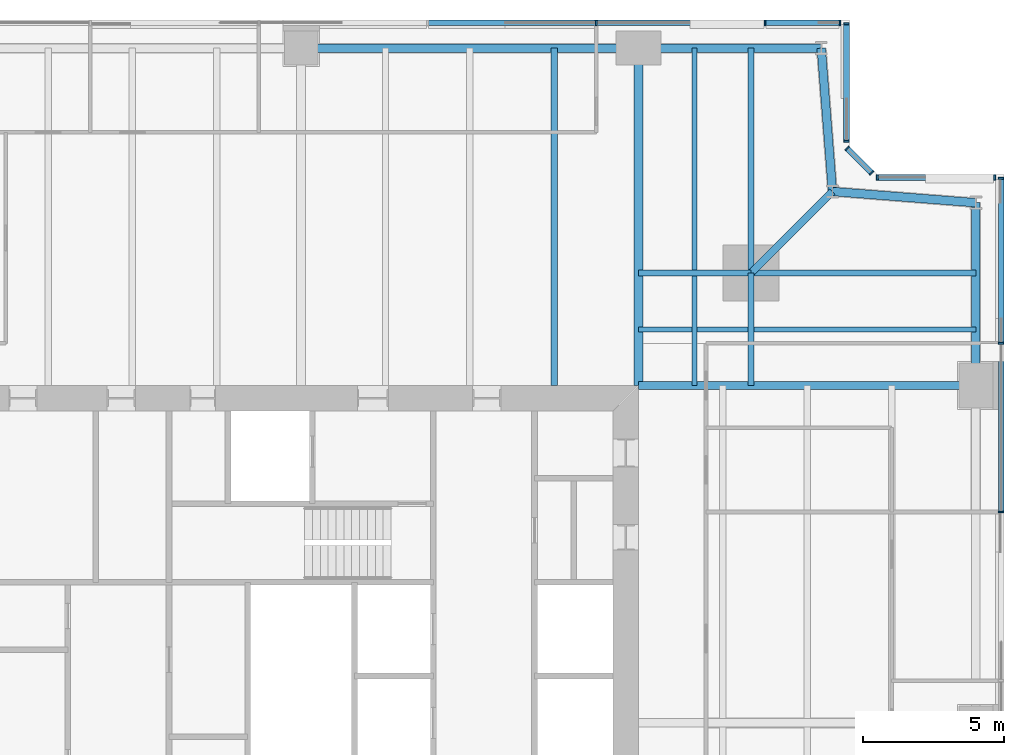
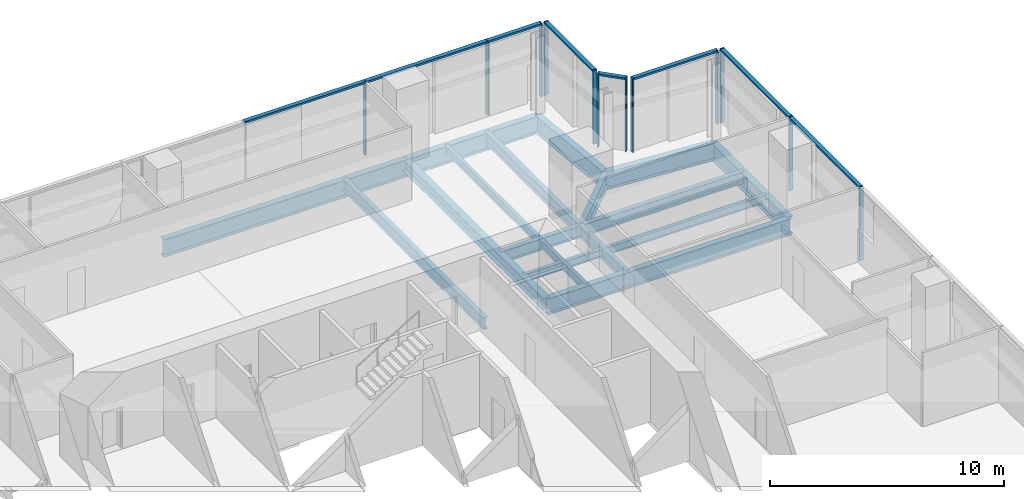
# One storey, part 7 of 16: 20 members, 18 beams, 5 elements without a shape of their own.
"""IFC4 building model written with IfcOpenShell, lengths in metres."""

from ifc_helpers import new_model, si_unit, direction, frame, origin, origin_2d, place, context, subcontext, project, spatial, rectangle, i_section, extrude, material, material_profile, profile_set, type_object, element, aggregate, save


model = new_model("IFC4")

# Units and contexts
model_context = context("Model", 3, precision=1e-05, world=origin(), true_north=direction((0.0, 1.0)))
body_context = subcontext(model_context, "Body", "Model", "MODEL_VIEW")
ifc_project = project(units=[si_unit("LENGTHUNIT", "METRE"), si_unit("AREAUNIT", "SQUARE_METRE"), si_unit("VOLUMEUNIT", "CUBIC_METRE"), si_unit("PLANEANGLEUNIT", "RADIAN"), si_unit("MASSUNIT", "GRAM", prefix="KILO")], contexts=[model_context])

# Site, building, storey
site_placement = place(None, origin())
site = spatial("IfcSite", under=ifc_project, at=site_placement, CompositionType="ELEMENT")
building_placement = place(site_placement, origin())
building = spatial("IfcBuilding", under=site, at=building_placement, Name="Fenwick Lantern Interchange", CompositionType="ELEMENT")
storey_placement = place(building_placement, frame((0.0, 0.0, 177.800048828125)))
storey = spatial("IfcBuildingStorey", under=building, at=storey_placement, Name="L41", CompositionType="ELEMENT", Elevation=177.800048828125)

# Beams
ifc_material_1 = material(Name="Steel ASTM A992 Grade 50", Category="steel")
ifc_material_profile_1 = material_profile(ifc_material_1, i_section(OverallWidth=0.3046875, OverallDepth=0.911865234375, WebThickness=0.015869140625, FlangeThickness=0.02392578125, at=origin_2d()), Name="W36X150")
ifc_profile_set_1 = profile_set([ifc_material_profile_1], Name="Steel ASTM A992 Grade 50")
beam_type_1 = type_object("IfcBeamType", Name="EDGE BEAM W36X150", PredefinedType="SPANDREL", material=ifc_profile_set_1)
beam_1_placement = place(storey_placement, frame((49.0, 37.0, -0.60595703125), z_axis=(0.0, 1.0, 0.0), x_axis=(-1.0, 0.0, 0.0)))
element("IfcBeam", 1, at=beam_1_placement, inside=storey, type_object=beam_type_1, Name="L41/FR/E/EB4", PredefinedType="SPANDREL", context=body_context, shape_type="SweptSolid", body=[
    extrude(i_section(OverallWidth=0.3046875, OverallDepth=0.911865234375, WebThickness=0.015869140625, FlangeThickness=0.02392578125, at=origin_2d()), origin(), (0.0, 0.0, 1.0), 6.5),
])
for number, where, z_axis, x_axis, name in (
    (2, (49.0, 43.5, -0.60595703125), (-0.99693998236, 0.078170784639, 0.0), (-0.078170784639, -0.99693998236, 0.0), "L41/FR/E/EBR1"),
    (3, (43.89990234375, 43.89990234375, -0.60595703125), (-0.078170784639, 0.99693998236, 0.0), (-0.99693998236, -0.078170784639, 0.0), "L41/FR/E/EBR2"),
):
    element("IfcBeam", number, at=place(storey_placement, frame(where, z_axis=z_axis, x_axis=x_axis)), inside=storey, type_object=beam_type_1, Name=name, PredefinedType="SPANDREL", context=body_context, shape_type="SweptSolid", body=[
        extrude(i_section(OverallWidth=0.3046875, OverallDepth=0.911865234375, WebThickness=0.015869140625, FlangeThickness=0.02392578125, at=origin_2d()), origin(), (0.0, 0.0, 1.0), 5.11572265625),
    ])
beam_2_placement = place(storey_placement, frame((43.5, 49.0, -0.60595703125), z_axis=(-1.0, 0.0, 0.0), x_axis=(0.0, -1.0, 0.0)))
element("IfcBeam", 4, at=beam_2_placement, inside=storey, type_object=beam_type_1, Name="L41/FR/N/EB1", PredefinedType="SPANDREL", context=body_context, shape_type="SweptSolid", body=[
    extrude(i_section(OverallWidth=0.3046875, OverallDepth=0.911865234375, WebThickness=0.015869140625, FlangeThickness=0.02392578125, at=origin_2d()), origin(), (0.0, 0.0, 1.0), 6.5),
])
beam_3_placement = place(storey_placement, frame((37.0, 49.0, -0.60595703125), z_axis=(-1.0, 0.0, 0.0), x_axis=(0.0, -1.0, 0.0)))
element("IfcBeam", 5, at=beam_3_placement, inside=storey, type_object=beam_type_1, Name="L41/FR/N/EB2", PredefinedType="SPANDREL", context=body_context, shape_type="SweptSolid", body=[
    extrude(i_section(OverallWidth=0.3046875, OverallDepth=0.911865234375, WebThickness=0.015869140625, FlangeThickness=0.02392578125, at=origin_2d()), origin(), (0.0, 0.0, 1.0), 12.0),
])
ifc_material_profile_2 = material_profile(ifc_material_1, i_section(OverallWidth=0.22900390625, OverallDepth=0.612060546875, WebThickness=0.011962890625, FlangeThickness=0.01953125, at=origin_2d()), Name="W24X84")
ifc_profile_set_2 = profile_set([ifc_material_profile_2], Name="Steel ASTM A992 Grade 50")
beam_type_2 = type_object("IfcBeamType", Name="FLOOR BEAM W24X84", PredefinedType="BEAM", material=ifc_profile_set_2)
beam_4_placement = place(storey_placement, frame((34.0, 49.0, -0.4560546875), z_axis=(0.0, -1.0, 0.0), x_axis=(1.0, 0.0, 0.0)))
element("IfcBeam", 6, at=beam_4_placement, inside=storey, type_object=beam_type_2, Name="L41/FR/N/R02", PredefinedType="BEAM", context=body_context, shape_type="SweptSolid", body=[
    extrude(i_section(OverallWidth=0.22900390625, OverallDepth=0.612060546875, WebThickness=0.011962890625, FlangeThickness=0.01953125, at=origin_2d()), origin(), (0.0, 0.0, 1.0), 12.0),
])
ifc_material_profile_3 = material_profile(ifc_material_1, i_section(OverallWidth=0.177734375, OverallDepth=0.406494140625, WebThickness=0.0078125, FlangeThickness=0.012939453125, at=origin_2d()), Name="W16X40")
ifc_profile_set_3 = profile_set([ifc_material_profile_3], Name="Steel ASTM A992 Grade 50")
beam_type_3 = type_object("IfcBeamType", Name="INFILL BEAM W16X40", PredefinedType="JOIST", material=ifc_profile_set_3)
beam_5_placement = place(storey_placement, frame((39.0, 49.0, -0.353271484375), z_axis=(0.0, -1.0, 0.0), x_axis=(1.0, 0.0, 0.0)))
element("IfcBeam", 7, at=beam_5_placement, inside=storey, type_object=beam_type_3, Name="L41/FR/N/J1", PredefinedType="JOIST", context=body_context, shape_type="SweptSolid", body=[
    extrude(i_section(OverallWidth=0.177734375, OverallDepth=0.406494140625, WebThickness=0.0078125, FlangeThickness=0.012939453125, at=origin_2d()), origin(), (0.0, 0.0, 1.0), 7.885498046875),
])
beam_6_placement = place(storey_placement, frame((39.0, 40.885498046875, -0.353271484375), z_axis=(0.0, -1.0, 0.0), x_axis=(1.0, 0.0, 0.0)))
element("IfcBeam", 8, at=beam_6_placement, inside=storey, type_object=beam_type_3, Name="L41/FR/N/J2", PredefinedType="JOIST", context=body_context, shape_type="SweptSolid", body=[
    extrude(i_section(OverallWidth=0.177734375, OverallDepth=0.406494140625, WebThickness=0.0078125, FlangeThickness=0.012939453125, at=origin_2d()), origin(), (0.0, 0.0, 1.0), 3.885498046875),
])
beam_7_placement = place(storey_placement, frame((49.0, 39.0, -0.353271484375), z_axis=(-1.0, 0.0, 0.0), x_axis=(0.0, -1.0, 0.0)))
element("IfcBeam", 9, at=beam_7_placement, inside=storey, type_object=beam_type_3, Name="L41/FR/N/J3", PredefinedType="JOIST", context=body_context, shape_type="SweptSolid", body=[
    extrude(i_section(OverallWidth=0.177734375, OverallDepth=0.406494140625, WebThickness=0.0078125, FlangeThickness=0.012939453125, at=origin_2d()), origin(), (0.0, 0.0, 1.0), 7.885498046875),
])
beam_8_placement = place(storey_placement, frame((40.885498046875, 39.0, -0.353271484375), z_axis=(-1.0, 0.0, 0.0), x_axis=(0.0, -1.0, 0.0)))
element("IfcBeam", 10, at=beam_8_placement, inside=storey, type_object=beam_type_3, Name="L41/FR/N/J4", PredefinedType="JOIST", context=body_context, shape_type="SweptSolid", body=[
    extrude(i_section(OverallWidth=0.177734375, OverallDepth=0.406494140625, WebThickness=0.0078125, FlangeThickness=0.012939453125, at=origin_2d()), origin(), (0.0, 0.0, 1.0), 1.796630859375),
])
beam_9_placement = place(storey_placement, frame((38.9111328125, 39.0, -0.353271484375), z_axis=(-1.0, 0.0, 0.0), x_axis=(0.0, -1.0, 0.0)))
element("IfcBeam", 11, at=beam_9_placement, inside=storey, type_object=beam_type_3, Name="L41/FR/N/J5", PredefinedType="JOIST", context=body_context, shape_type="SweptSolid", body=[
    extrude(i_section(OverallWidth=0.177734375, OverallDepth=0.406494140625, WebThickness=0.0078125, FlangeThickness=0.012939453125, at=origin_2d()), origin(), (0.0, 0.0, 1.0), 1.9111328125),
])
ifc_material_profile_4 = material_profile(ifc_material_1, i_section(OverallWidth=0.22900390625, OverallDepth=0.612060546875, WebThickness=0.011962890625, FlangeThickness=0.01953125, at=origin_2d()), Name="W24X84")
ifc_profile_set_4 = profile_set([ifc_material_profile_4], Name="Steel ASTM A992 Grade 50")
beam_type_4 = type_object("IfcBeamType", Name="MEGA COLUMN BEAM W24X84", PredefinedType="BEAM", material=ifc_profile_set_4)
for number, where, z_axis, x_axis, name in (
    (12, (41.0, 41.0, -0.4560546875), (0.0, 1.0, 0.0), (-1.0, 0.0, 0.0), "L41/FR/N/MB1"),
    (13, (41.0, 41.0, -0.4560546875), (1.0, 0.0, 0.0), (0.0, 1.0, 0.0), "L41/FR/N/MB2"),
):
    element("IfcBeam", number, at=place(storey_placement, frame(where, z_axis=z_axis, x_axis=x_axis)), inside=storey, type_object=beam_type_4, Name=name, PredefinedType="BEAM", context=body_context, shape_type="SweptSolid", body=[
        extrude(i_section(OverallWidth=0.22900390625, OverallDepth=0.612060546875, WebThickness=0.011962890625, FlangeThickness=0.01953125, at=origin_2d()), origin(), (0.0, 0.0, 1.0), 8.0),
    ])
for number, where, z_axis, x_axis, name in (
    (14, (41.0, 41.0, -0.4560546875), (-1.0, 0.0, 0.0), (0.0, -1.0, 0.0), "L41/FR/N/MB3"),
    (15, (41.0, 41.0, -0.4560546875), (0.0, -1.0, 0.0), (1.0, 0.0, 0.0), "L41/FR/N/MB4"),
):
    element("IfcBeam", number, at=place(storey_placement, frame(where, z_axis=z_axis, x_axis=x_axis)), inside=storey, type_object=beam_type_4, Name=name, PredefinedType="BEAM", context=body_context, shape_type="SweptSolid", body=[
        extrude(i_section(OverallWidth=0.22900390625, OverallDepth=0.612060546875, WebThickness=0.011962890625, FlangeThickness=0.01953125, at=origin_2d()), origin(), (0.0, 0.0, 1.0), 4.0),
    ])
ifc_material_profile_5 = material_profile(ifc_material_1, i_section(OverallWidth=0.32763671875, OverallDepth=0.622314453125, WebThickness=0.015380859375, FlangeThickness=0.0244140625, at=origin_2d()), Name="W24X131")
ifc_profile_set_5 = profile_set([ifc_material_profile_5], Name="Steel ASTM A992 Grade 50")
beam_type_5 = type_object("IfcBeamType", Name="MOMENT-CONNECTED GIRDER W24X131", PredefinedType="BEAM", material=ifc_profile_set_5)
beam_10_placement = place(storey_placement, frame((37.0, 49.0, -0.461181640625), z_axis=(0.0, -1.0, 0.0), x_axis=(1.0, 0.0, 0.0)))
element("IfcBeam", 16, at=beam_10_placement, inside=storey, type_object=beam_type_5, Name="L41/FR/N/R01", PredefinedType="BEAM", context=body_context, shape_type="SweptSolid", body=[
    extrude(i_section(OverallWidth=0.32763671875, OverallDepth=0.622314453125, WebThickness=0.015380859375, FlangeThickness=0.0244140625, at=origin_2d()), origin(), (0.0, 0.0, 1.0), 12.0),
])
ifc_material_profile_6 = material_profile(ifc_material_1, i_section(OverallWidth=0.2919921875, OverallDepth=0.845703125, WebThickness=0.015380859375, FlangeThickness=0.0244140625, at=origin_2d()), Name="W33X141")
ifc_profile_set_6 = profile_set([ifc_material_profile_6], Name="Steel ASTM A992 Grade 50")
beam_type_6 = type_object("IfcBeamType", Name="MOMENT-CONNECTED GIRDER W33X141", PredefinedType="BEAM", material=ifc_profile_set_6)
beam_11_placement = place(storey_placement, frame((49.0, 37.0, -0.572998046875), z_axis=(-1.0, 0.0, 0.0), x_axis=(0.0, -1.0, 0.0)))
element("IfcBeam", 17, at=beam_11_placement, inside=storey, type_object=beam_type_6, Name="L41/FR/E/R03", PredefinedType="BEAM", context=body_context, shape_type="SweptSolid", body=[
    extrude(i_section(OverallWidth=0.2919921875, OverallDepth=0.845703125, WebThickness=0.015380859375, FlangeThickness=0.0244140625, at=origin_2d()), origin(), (0.0, 0.0, 1.0), 12.0),
])
ifc_material_profile_7 = material_profile(ifc_material_1, i_section(OverallWidth=0.2666015625, OverallDepth=0.7568359375, WebThickness=0.013916015625, FlangeThickness=0.019287109375, at=origin_2d()), Name="W30X108")
ifc_profile_set_7 = profile_set([ifc_material_profile_7], Name="Steel ASTM A992 Grade 50")
beam_type_7 = type_object("IfcBeamType", Name="NOTCH BEAM W30X108", PredefinedType="BEAM", material=ifc_profile_set_7)
beam_12_placement = place(storey_placement, frame((41.0, 41.0, -0.528564453125), z_axis=(0.707106781187, 0.707106781187, 0.0), x_axis=(-0.707106781187, 0.707106781187, 0.0)))
element("IfcBeam", 18, at=beam_12_placement, inside=storey, type_object=beam_type_7, Name="L41/FR/N/TG", PredefinedType="BEAM", context=body_context, shape_type="SweptSolid", body=[
    extrude(i_section(OverallWidth=0.2666015625, OverallDepth=0.7568359375, WebThickness=0.013916015625, FlangeThickness=0.019287109375, at=origin_2d()), origin(), (0.0, 0.0, 1.0), 4.10107421875),
])

# Curtain wall, members
ifc_material_2 = material(Name="Aluminium curtain wall frame", Category="aluminium")
curtain_wall_type = type_object("IfcCurtainWallType", Name="OFFICE CURTAIN WALL", PredefinedType="USERDEFINED", material=ifc_material_2)
curtain_wall_1_placement = place(storey_placement, origin())
curtain_wall_1 = element("IfcCurtainWall", 19, at=curtain_wall_1_placement, inside=storey, type_object=curtain_wall_type, Name="Office curtain wall 05", ObjectType="OFFICE CURTAIN WALL", PredefinedType="USERDEFINED")
ifc_material_3 = material(Name="Aluminium extrusion", Category="aluminium")
ifc_material_profile_8 = material_profile(ifc_material_3, rectangle(XDim=0.199951171875, YDim=0.06494140625, at=origin_2d()), Name="OFFICE CURTAIN WALL MULLION 65 X 200")
ifc_profile_set_8 = profile_set([ifc_material_profile_8], Name="Aluminium extrusion")
member_type_1 = type_object("IfcMemberType", Name="OFFICE CURTAIN WALL MULLION 65 X 200", PredefinedType="MULLION", material=ifc_profile_set_8)
member_1_placement = place(storey_placement, frame((49.89990234375, 32.5, 0.0), z_axis=(0.0, 0.0, 1.0), x_axis=(-1.0, 0.0, 0.0)))
member_1 = element("IfcMember", 20, at=member_1_placement, type_object=member_type_1, Name="L41/CW/05/M05", PredefinedType="MULLION", context=body_context, shape_type="SweptSolid", body=[
    extrude(rectangle(XDim=0.199951171875, YDim=0.06494140625, at=origin_2d()), origin(), (0.0, 0.0, 1.0), 3.849853515625),
])
member_2_placement = place(storey_placement, frame((49.89990234375, 38.5, 0.0), z_axis=(0.0, 0.0, 1.0), x_axis=(-1.0, 0.0, 0.0)))
member_2 = element("IfcMember", 21, at=member_2_placement, type_object=member_type_1, Name="L41/CW/05/M06", PredefinedType="MULLION", context=body_context, shape_type="SweptSolid", body=[
    extrude(rectangle(XDim=0.199951171875, YDim=0.06494140625, at=origin_2d()), origin(), (0.0, 0.0, 1.0), 3.849853515625),
])
member_3_placement = place(storey_placement, frame((49.89990234375, 44.367431640625, 0.0), z_axis=(0.0, 0.0, 1.0), x_axis=(-1.0, 0.0, 0.0)))
member_3 = element("IfcMember", 22, at=member_3_placement, type_object=member_type_1, Name="L41/CW/05/M07", PredefinedType="MULLION", context=body_context, shape_type="SweptSolid", body=[
    extrude(rectangle(XDim=0.199951171875, YDim=0.06494140625, at=origin_2d()), origin(), (0.0, 0.0, 1.0), 3.849853515625),
])

curtain_wall_2_placement = place(storey_placement, origin())
curtain_wall_2 = element("IfcCurtainWall", 23, at=curtain_wall_2_placement, inside=storey, type_object=curtain_wall_type, Name="Office curtain wall 06", ObjectType="OFFICE CURTAIN WALL", PredefinedType="USERDEFINED")
member_4_placement = place(storey_placement, frame((49.66748046875, 44.39990234375, 0.0), z_axis=(0.0, 0.0, 1.0), x_axis=(0.0, -1.0, 0.0)))
member_4 = element("IfcMember", 24, at=member_4_placement, type_object=member_type_1, Name="L41/CW/06/M00", PredefinedType="MULLION", context=body_context, shape_type="SweptSolid", body=[
    extrude(rectangle(XDim=0.199951171875, YDim=0.06494140625, at=origin_2d()), origin(), (0.0, 0.0, 1.0), 3.849853515625),
])
member_5_placement = place(storey_placement, frame((45.490966796875, 44.39990234375, 0.0), z_axis=(0.0, 0.0, 1.0), x_axis=(0.0, -1.0, 0.0)))
member_5 = element("IfcMember", 25, at=member_5_placement, type_object=member_type_1, Name="L41/CW/06/M01", PredefinedType="MULLION", context=body_context, shape_type="SweptSolid", body=[
    extrude(rectangle(XDim=0.199951171875, YDim=0.06494140625, at=origin_2d()), origin(), (0.0, 0.0, 1.0), 3.849853515625),
])

curtain_wall_3_placement = place(storey_placement, origin())
curtain_wall_3 = element("IfcCurtainWall", 26, at=curtain_wall_3_placement, inside=storey, type_object=curtain_wall_type, Name="Office curtain wall 07", ObjectType="OFFICE CURTAIN WALL", PredefinedType="USERDEFINED")
member_6_placement = place(storey_placement, frame((45.294189453125, 44.564453125, 0.0), z_axis=(0.0, 0.0, 1.0), x_axis=(-0.707106781187, -0.707106781187, 0.0)))
member_6 = element("IfcMember", 27, at=member_6_placement, type_object=member_type_1, Name="L41/CW/07/M00", PredefinedType="MULLION", context=body_context, shape_type="SweptSolid", body=[
    extrude(rectangle(XDim=0.199951171875, YDim=0.06494140625, at=origin_2d()), origin(), (0.0, 0.0, 1.0), 3.849853515625),
])
member_7_placement = place(storey_placement, frame((44.423095703125, 45.435546875, 0.0), z_axis=(0.0, 0.0, 1.0), x_axis=(-0.707106781187, -0.707106781187, 0.0)))
member_7 = element("IfcMember", 28, at=member_7_placement, type_object=member_type_1, Name="L41/CW/07/M01", PredefinedType="MULLION", context=body_context, shape_type="SweptSolid", body=[
    extrude(rectangle(XDim=0.199951171875, YDim=0.06494140625, at=origin_2d()), origin(), (0.0, 0.0, 1.0), 3.849853515625),
])

curtain_wall_4_placement = place(storey_placement, origin())
curtain_wall_4 = element("IfcCurtainWall", 29, at=curtain_wall_4_placement, inside=storey, type_object=curtain_wall_type, Name="Office curtain wall 08", ObjectType="OFFICE CURTAIN WALL", PredefinedType="USERDEFINED")
member_8_placement = place(storey_placement, frame((44.39990234375, 45.691162109375, 0.0), z_axis=(0.0, 0.0, 1.0), x_axis=(-1.0, 0.0, 0.0)))
member_8 = element("IfcMember", 30, at=member_8_placement, type_object=member_type_1, Name="L41/CW/08/M00", PredefinedType="MULLION", context=body_context, shape_type="SweptSolid", body=[
    extrude(rectangle(XDim=0.199951171875, YDim=0.06494140625, at=origin_2d()), origin(), (0.0, 0.0, 1.0), 3.849853515625),
])
member_9_placement = place(storey_placement, frame((44.39990234375, 49.867431640625, 0.0), z_axis=(0.0, 0.0, 1.0), x_axis=(-1.0, 0.0, 0.0)))
member_9 = element("IfcMember", 31, at=member_9_placement, type_object=member_type_1, Name="L41/CW/08/M01", PredefinedType="MULLION", context=body_context, shape_type="SweptSolid", body=[
    extrude(rectangle(XDim=0.199951171875, YDim=0.06494140625, at=origin_2d()), origin(), (0.0, 0.0, 1.0), 3.849853515625),
])

curtain_wall_5_placement = place(storey_placement, origin())
curtain_wall_5 = element("IfcCurtainWall", 32, at=curtain_wall_5_placement, inside=storey, type_object=curtain_wall_type, Name="Office curtain wall 09", ObjectType="OFFICE CURTAIN WALL", PredefinedType="USERDEFINED")
member_10_placement = place(storey_placement, frame((44.16748046875, 49.89990234375, 0.0), z_axis=(0.0, 0.0, 1.0), x_axis=(0.0, -1.0, 0.0)))
member_10 = element("IfcMember", 33, at=member_10_placement, type_object=member_type_1, Name="L41/CW/09/M00", PredefinedType="MULLION", context=body_context, shape_type="SweptSolid", body=[
    extrude(rectangle(XDim=0.199951171875, YDim=0.06494140625, at=origin_2d()), origin(), (0.0, 0.0, 1.0), 3.849853515625),
])
member_11_placement = place(storey_placement, frame((41.5, 49.89990234375, 0.0), z_axis=(0.0, 0.0, 1.0), x_axis=(0.0, -1.0, 0.0)))
member_11 = element("IfcMember", 34, at=member_11_placement, type_object=member_type_1, Name="L41/CW/09/M01", PredefinedType="MULLION", context=body_context, shape_type="SweptSolid", body=[
    extrude(rectangle(XDim=0.199951171875, YDim=0.06494140625, at=origin_2d()), origin(), (0.0, 0.0, 1.0), 3.849853515625),
])
member_12_placement = place(storey_placement, frame((35.5, 49.89990234375, 0.0), z_axis=(0.0, 0.0, 1.0), x_axis=(0.0, -1.0, 0.0)))
member_12 = element("IfcMember", 35, at=member_12_placement, type_object=member_type_1, Name="L41/CW/09/M02", PredefinedType="MULLION", context=body_context, shape_type="SweptSolid", body=[
    extrude(rectangle(XDim=0.199951171875, YDim=0.06494140625, at=origin_2d()), origin(), (0.0, 0.0, 1.0), 3.849853515625),
])

# Member
ifc_material_profile_9 = material_profile(ifc_material_3, rectangle(XDim=0.199951171875, YDim=0.10009765625, at=origin_2d()), Name="OFFICE CURTAIN WALL TRANSOM 100 X 200")
ifc_profile_set_9 = profile_set([ifc_material_profile_9], Name="Aluminium extrusion")
member_type_2 = type_object("IfcMemberType", Name="OFFICE CURTAIN WALL TRANSOM 100 X 200", PredefinedType="MULLION", material=ifc_profile_set_9)
member_13_placement = place(storey_placement, frame((49.89990234375, 32.532470703125, 3.800048828125), z_axis=(0.0, 1.0, 0.0), x_axis=(-1.0, 0.0, 0.0)))
member_13 = element("IfcMember", 36, at=member_13_placement, type_object=member_type_2, Name="L41/CW/05/T05", PredefinedType="MULLION", context=body_context, shape_type="SweptSolid", body=[
    extrude(rectangle(XDim=0.199951171875, YDim=0.10009765625, at=origin_2d()), origin(), (0.0, 0.0, 1.0), 5.93505859375),
])

member_14_placement = place(storey_placement, frame((49.89990234375, 38.532470703125, 3.800048828125), z_axis=(0.0, 1.0, 0.0), x_axis=(-1.0, 0.0, 0.0)))
member_14 = element("IfcMember", 37, at=member_14_placement, type_object=member_type_2, Name="L41/CW/05/T06", PredefinedType="MULLION", context=body_context, shape_type="SweptSolid", body=[
    extrude(rectangle(XDim=0.199951171875, YDim=0.10009765625, at=origin_2d()), origin(), (0.0, 0.0, 1.0), 5.802490234375),
])

aggregate(curtain_wall_1, [member_1, member_2, member_3, member_13, member_14])

member_15_placement = place(storey_placement, frame((49.635009765625, 44.39990234375, 3.800048828125), z_axis=(-1.0, 0.0, 0.0), x_axis=(0.0, -1.0, 0.0)))
member_15 = element("IfcMember", 38, at=member_15_placement, type_object=member_type_2, Name="L41/CW/06/T00", PredefinedType="MULLION", context=body_context, shape_type="SweptSolid", body=[
    extrude(rectangle(XDim=0.199951171875, YDim=0.10009765625, at=origin_2d()), origin(), (0.0, 0.0, 1.0), 4.111328125),
])

aggregate(curtain_wall_2, [member_4, member_5, member_15])

member_16_placement = place(storey_placement, frame((45.271240234375, 44.58740234375, 3.800048828125), z_axis=(-0.707106781187, 0.707106781187, 0.0), x_axis=(-0.707106781187, -0.707106781187, 0.0)))
member_16 = element("IfcMember", 39, at=member_16_placement, type_object=member_type_2, Name="L41/CW/07/T00", PredefinedType="MULLION", context=body_context, shape_type="SweptSolid", body=[
    extrude(rectangle(XDim=0.199951171875, YDim=0.10009765625, at=origin_2d()), origin(), (0.0, 0.0, 1.0), 1.1669921875),
])

aggregate(curtain_wall_3, [member_6, member_7, member_16])

member_17_placement = place(storey_placement, frame((44.39990234375, 45.7236328125, 3.800048828125), z_axis=(0.0, 1.0, 0.0), x_axis=(-1.0, 0.0, 0.0)))
member_17 = element("IfcMember", 40, at=member_17_placement, type_object=member_type_2, Name="L41/CW/08/T00", PredefinedType="MULLION", context=body_context, shape_type="SweptSolid", body=[
    extrude(rectangle(XDim=0.199951171875, YDim=0.10009765625, at=origin_2d()), origin(), (0.0, 0.0, 1.0), 4.111328125),
])

aggregate(curtain_wall_4, [member_8, member_9, member_17])

member_18_placement = place(storey_placement, frame((44.135009765625, 49.89990234375, 3.800048828125), z_axis=(-1.0, 0.0, 0.0), x_axis=(0.0, -1.0, 0.0)))
member_18 = element("IfcMember", 41, at=member_18_placement, type_object=member_type_2, Name="L41/CW/09/T00", PredefinedType="MULLION", context=body_context, shape_type="SweptSolid", body=[
    extrude(rectangle(XDim=0.199951171875, YDim=0.10009765625, at=origin_2d()), origin(), (0.0, 0.0, 1.0), 2.6025390625),
])

member_19_placement = place(storey_placement, frame((41.467529296875, 49.89990234375, 3.800048828125), z_axis=(-1.0, 0.0, 0.0), x_axis=(0.0, -1.0, 0.0)))
member_19 = element("IfcMember", 42, at=member_19_placement, type_object=member_type_2, Name="L41/CW/09/T01", PredefinedType="MULLION", context=body_context, shape_type="SweptSolid", body=[
    extrude(rectangle(XDim=0.199951171875, YDim=0.10009765625, at=origin_2d()), origin(), (0.0, 0.0, 1.0), 5.93505859375),
])

member_20_placement = place(storey_placement, frame((35.467529296875, 49.89990234375, 3.800048828125), z_axis=(-1.0, 0.0, 0.0), x_axis=(0.0, -1.0, 0.0)))
member_20 = element("IfcMember", 43, at=member_20_placement, type_object=member_type_2, Name="L41/CW/09/T02", PredefinedType="MULLION", context=body_context, shape_type="SweptSolid", body=[
    extrude(rectangle(XDim=0.199951171875, YDim=0.10009765625, at=origin_2d()), origin(), (0.0, 0.0, 1.0), 5.93505859375),
])

aggregate(curtain_wall_5, [member_10, member_11, member_12, member_18, member_19, member_20])

save(model, "model.ifc")
